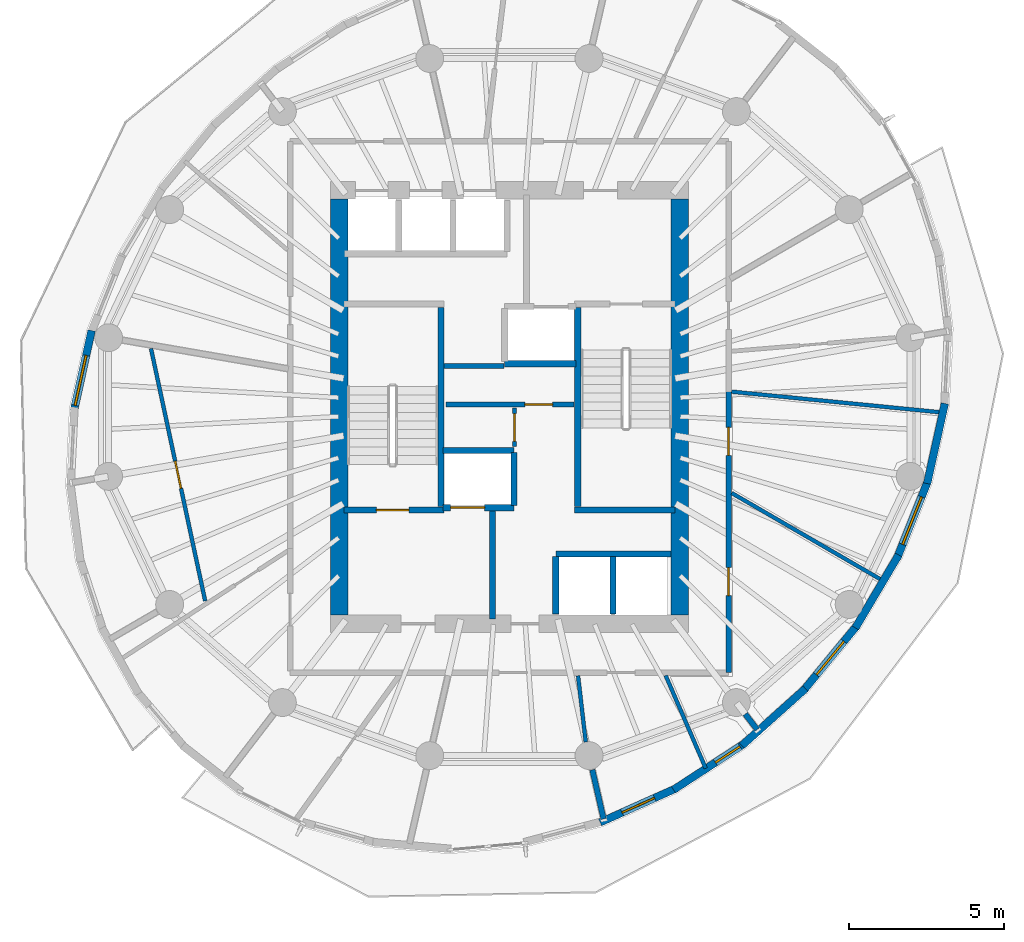
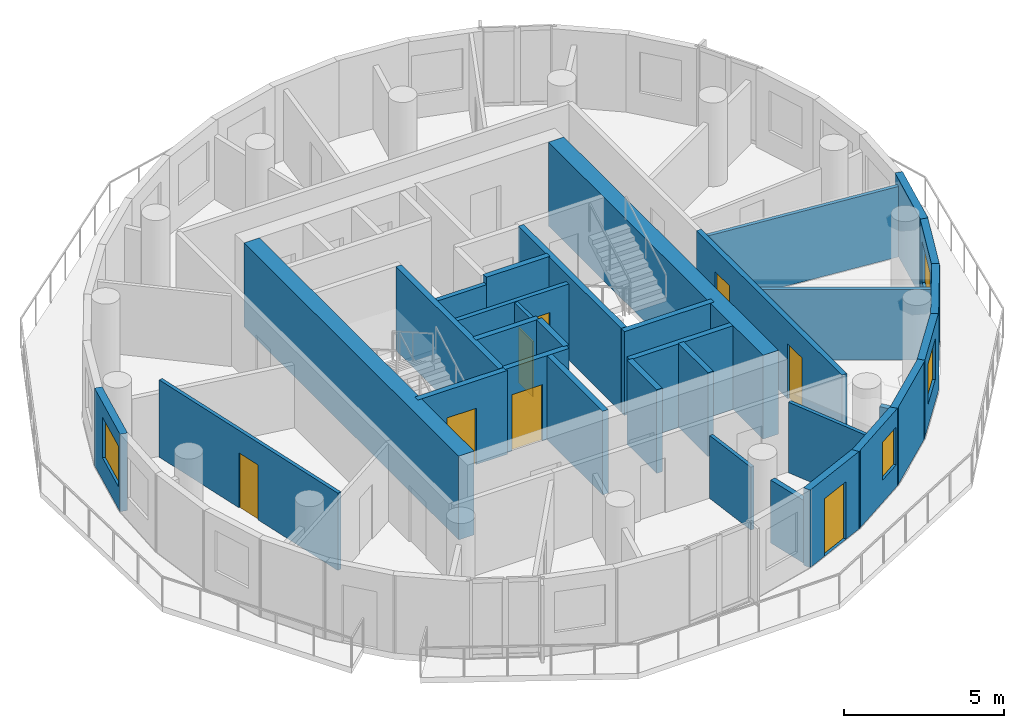
# One storey, part 5 of 10: 33 walls, 8 doors, 4 windows, 12 openings.
"""IFC4 building model written with IfcOpenShell, lengths in metres."""

from ifc_helpers import new_model, si_unit, direction, frame, frame_2d, origin, place, context, subcontext, project, spatial, rectangle, extrude, material, layer, layer_set, type_object, element, fill, save


model = new_model("IFC4")

# Units and contexts
model_context = context("Model", 3, precision=1e-05, world=origin(), true_north=direction((0.0, 1.0)))
body_context = subcontext(model_context, "Body", "Model", "MODEL_VIEW")
ifc_project = project(units=[si_unit("LENGTHUNIT", "METRE"), si_unit("AREAUNIT", "SQUARE_METRE"), si_unit("VOLUMEUNIT", "CUBIC_METRE"), si_unit("PLANEANGLEUNIT", "RADIAN"), si_unit("MASSUNIT", "GRAM", prefix="KILO")], contexts=[model_context])

# Site, building, storey
site_placement = place(None, origin())
site = spatial("IfcSite", under=ifc_project, at=site_placement, CompositionType="ELEMENT")
building_placement = place(site_placement, origin())
building = spatial("IfcBuilding", under=site, at=building_placement, Name="Veldorim Arch Residences", CompositionType="ELEMENT")
storey_placement = place(building_placement, frame((0.0, 0.0, 191.840087890625)))
storey = spatial("IfcBuildingStorey", under=building, at=storey_placement, Name="L57", CompositionType="ELEMENT", Elevation=191.840087890625)

# Wall, opening, door
ifc_material_1 = material(Name="Acoustic Gypsum Board", Category="gypsum")
ifc_layer_1 = layer(ifc_material_1, 0.125, Name="Acoustic Stud Room Partition Wall 125")
ifc_layer_set_1 = layer_set([ifc_layer_1], Name="Acoustic Gypsum Board")
wall_type_1 = type_object("IfcWallType", Name="Acoustic Stud Room Partition Wall 125", PredefinedType="PARTITIONING", material=ifc_layer_set_1)
wall_1_placement = place(storey_placement, frame((32.159912109375, 22.719970703125, 0.0), z_axis=(0.0, 0.0, 1.0), x_axis=(0.0, 1.0, 0.0)))
wall_1 = element("IfcWall", 1, at=wall_1_placement, inside=storey, type_object=wall_type_1, Name="L57 interior wall WL-CA-L57-2", PredefinedType="PARTITIONING", context=body_context, shape_type="SweptSolid", body=[
    extrude(rectangle(XDim=1.25, YDim=0.125, at=frame_2d((0.625, 0.0))), origin(), (0.0, 0.0, 1.0), 2.954833984375),
])
opening_1_placement = place(wall_1_placement, frame((0.169921875, 0.0, 0.0)))
opening_1 = element("IfcOpeningElement", 2, at=opening_1_placement, cuts=wall_1, Name="Opening DR-SVC", PredefinedType="OPENING", context=body_context, shape_type="SweptSolid", body=[
    extrude(rectangle(XDim=0.89990234375, YDim=2.10009765625, at=frame_2d((0.449951171875, 1.050048828125))), frame((0.0, 0.072509765625, 0.0), z_axis=(0.0, -1.0, 0.0), x_axis=(1.0, 0.0, 0.0)), (0.0, 0.0, 1.0), 0.14501953125),
])
ifc_material_2 = material(Name="Fire-Rated Steel", Category="steel")
door_type_1 = type_object("IfcDoorType", Name="Riser, Shelter & Plant Room Rated Steel Door 900x2100", OperationType="SINGLE_SWING_LEFT", PredefinedType="DOOR", material=ifc_material_2)
door_1_placement = place(opening_1_placement, origin())
door_1 = element("IfcDoor", 3, at=door_1_placement, inside=storey, type_object=door_type_1, Name="L57 interior door DR-L57-CA2", OperationType="SINGLE_SWING_RIGHT", OverallHeight=2.10009765625, OverallWidth=0.89990234375, PredefinedType="DOOR", context=body_context, shape_type="SweptSolid", body=[
    extrude(rectangle(XDim=0.89990234375, YDim=2.10009765625, at=frame_2d((0.449951171875, 1.050048828125))), frame((0.0, 0.02490234375, 0.0), z_axis=(0.0, -1.0, 0.0), x_axis=(1.0, 0.0, 0.0)), (0.0, 0.0, 1.0), 0.050048828125),
])
fill(opening_1, door_1)

# Walls
wall_2_placement = place(storey_placement, frame((44.06591796875, 18.390380859375, 0.0), z_axis=(0.0, 0.0, 1.0), x_axis=(-0.865092390625, 0.501612555348, 0.0)))
element("IfcWall", 4, at=wall_2_placement, inside=storey, type_object=wall_type_1, Name="L57 interior wall WL-RES-L57-010", PredefinedType="PARTITIONING", context=body_context, shape_type="SweptSolid", body=[
    extrude(rectangle(XDim=5.643310546875, YDim=0.125, at=frame_2d((2.82177734375, 0.0))), origin(), (0.0, 0.0, 1.0), 2.69189453125),
])
wall_3_placement = place(storey_placement, frame((39.179443359375, 24.49658203125, 0.0), z_axis=(0.0, 0.0, 1.0), x_axis=(0.995152744832, -0.098341316102, 0.0)))
element("IfcWall", 5, at=wall_3_placement, inside=storey, type_object=wall_type_1, Name="L57 interior wall WL-RES-L57-011", PredefinedType="PARTITIONING", context=body_context, shape_type="SweptSolid", body=[
    extrude(rectangle(XDim=6.842041015625, YDim=0.125, at=frame_2d((3.4208984375, 0.0))), origin(), (0.0, 0.0, 1.0), 2.69189453125),
])
wall_4_placement = place(storey_placement, frame((38.341796875, 12.33056640625, 0.0), z_axis=(0.0, 0.0, 1.0), x_axis=(-0.396192482216, 0.918167477662, 0.0)))
element("IfcWall", 6, at=wall_4_placement, inside=storey, type_object=wall_type_1, Name="L57 interior wall WL-RES-L57-012", PredefinedType="PARTITIONING", context=body_context, shape_type="SweptSolid", body=[
    extrude(rectangle(XDim=3.2646484375, YDim=0.125, at=frame_2d((1.63232421875, 0.0))), origin(), (0.0, 0.0, 1.0), 2.69189453125),
])
wall_5_placement = place(storey_placement, frame((34.467041015625, 13.17578125, 0.0), z_axis=(0.0, 0.0, 1.0), x_axis=(-0.115430815868, 0.993315522253, 0.0)))
element("IfcWall", 7, at=wall_5_placement, inside=storey, type_object=wall_type_1, Name="L57 interior wall WL-RES-L57-013", PredefinedType="PARTITIONING", context=body_context, shape_type="SweptSolid", body=[
    extrude(rectangle(XDim=2.159423828125, YDim=0.125, at=frame_2d((1.07958984375, 0.0))), origin(), (0.0, 0.0, 1.0), 2.4033203125),
])

# Wall, opening, door
wall_6_placement = place(storey_placement, frame((22.173095703125, 17.73486328125, 0.0), z_axis=(0.0, 0.0, 1.0), x_axis=(-0.20987090056, 0.977729106194, 0.0)))
wall_6 = element("IfcWall", 8, at=wall_6_placement, inside=storey, type_object=wall_type_1, Name="L57 interior wall WL-RES-L57-022", PredefinedType="PARTITIONING", context=body_context, shape_type="SweptSolid", body=[
    extrude(rectangle(XDim=8.3408203125, YDim=0.125, at=frame_2d((4.17041015625, 0.0))), origin(), (0.0, 0.0, 1.0), 2.954833984375),
])
opening_2_placement = place(wall_6_placement, frame((3.720458984375, 0.0, 0.0)))
opening_2 = element("IfcOpeningElement", 9, at=opening_2_placement, cuts=wall_6, Name="Opening DR-INT", PredefinedType="OPENING", context=body_context, shape_type="SweptSolid", body=[
    extrude(rectangle(XDim=0.89990234375, YDim=2.10009765625, at=frame_2d((0.449951171875, 1.050048828125))), frame((0.0, 0.072509765625, 0.0), z_axis=(0.0, -1.0, 0.0), x_axis=(1.0, 0.0, 0.0)), (0.0, 0.0, 1.0), 0.14501953125),
])
ifc_material_3 = material(Name="Engineered Timber", Category="wood")
door_type_2 = type_object("IfcDoorType", Name="Apartment Internal Room Timber Door 900x2100", OperationType="SINGLE_SWING_LEFT", PredefinedType="DOOR", material=ifc_material_3)
door_2_placement = place(opening_2_placement, origin())
door_2 = element("IfcDoor", 10, at=door_2_placement, inside=storey, type_object=door_type_2, Name="L57 interior door DR-RES-L57-015", OperationType="SINGLE_SWING_LEFT", OverallHeight=2.10009765625, OverallWidth=0.89990234375, PredefinedType="DOOR", context=body_context, shape_type="SweptSolid", body=[
    extrude(rectangle(XDim=0.89990234375, YDim=2.10009765625, at=frame_2d((0.449951171875, 1.050048828125))), frame((0.0, 0.02490234375, 0.0), z_axis=(0.0, -1.0, 0.0), x_axis=(1.0, 0.0, 0.0)), (0.0, 0.0, 1.0), 0.050048828125),
])
fill(opening_2, door_2)

# Walls
ifc_material_4 = material(Name="Lightweight Masonry Block & Gypsum", Category="masonry")
ifc_layer_2 = layer(ifc_material_4, 0.179931640625, Name="Compartment & Corridor Fire-Rated Party Wall 180")
ifc_layer_set_2 = layer_set([ifc_layer_2], Name="Lightweight Masonry Block & Gypsum")
wall_type_2 = type_object("IfcWallType", Name="Compartment & Corridor Fire-Rated Party Wall 180", PredefinedType="PARTITIONING", material=ifc_layer_set_2)
wall_7_placement = place(storey_placement, frame((34.679931640625, 12.282470703125, 0.0), z_axis=(0.0, 0.0, 1.0), x_axis=(0.222967107114, -0.974825968645, 0.0)))
element("IfcWall", 11, at=wall_7_placement, inside=storey, type_object=wall_type_2, Name="L57 interior wall WL-PIER-L57-13", PredefinedType="PARTITIONING", context=body_context, shape_type="SweptSolid", body=[
    extrude(rectangle(XDim=1.63037109375, YDim=0.179931640625, at=frame_2d((0.815185546875, 0.0))), origin(), (0.0, 0.0, 1.0), 2.4033203125),
])
wall_8_placement = place(storey_placement, frame((39.619873046875, 14.08203125, 0.0), z_axis=(0.0, 0.0, 1.0), x_axis=(0.609112888366, -0.793083532314, 0.0)))
element("IfcWall", 12, at=wall_8_placement, inside=storey, type_object=wall_type_2, Name="L57 interior wall WL-PIER-L57-14", PredefinedType="PARTITIONING", context=body_context, shape_type="SweptSolid", body=[
    extrude(rectangle(XDim=0.631591796875, YDim=0.179931640625, at=frame_2d((0.31591796875, 0.0))), origin(), (0.0, 0.0, 1.0), 2.4033203125),
])

# Wall, openings, doors
wall_9_placement = place(storey_placement, frame((39.080078125, 24.5263671875, 0.0), z_axis=(0.0, 0.0, 1.0), x_axis=(0.0, -1.0, 0.0)))
wall_9 = element("IfcWall", 13, at=wall_9_placement, inside=storey, type_object=wall_type_2, Name="L57 interior wall WL-RES-L57-002", PredefinedType="PARTITIONING", context=body_context, shape_type="SweptSolid", body=[
    extrude(rectangle(XDim=9.1064453125, YDim=0.179931640625, at=frame_2d((4.55322265625, 0.0))), origin(), (0.0, 0.0, 1.0), 2.954833984375),
])
opening_3_placement = place(wall_9_placement, frame((1.183837890625, 0.0, 0.0)))
opening_3 = element("IfcOpeningElement", 14, at=opening_3_placement, cuts=wall_9, Name="Opening DR-INT", PredefinedType="OPENING", context=body_context, shape_type="SweptSolid", body=[
    extrude(rectangle(XDim=0.89990234375, YDim=2.10009765625, at=frame_2d((0.449951171875, 1.050048828125))), frame((0.0, 0.099853515625, 0.0), z_axis=(0.0, -1.0, 0.0), x_axis=(1.0, 0.0, 0.0)), (0.0, 0.0, 1.0), 0.199951171875),
])
opening_4_placement = place(wall_9_placement, frame((5.715576171875, 0.0, 0.0)))
opening_4 = element("IfcOpeningElement", 15, at=opening_4_placement, cuts=wall_9, Name="Opening DR-INT", PredefinedType="OPENING", context=body_context, shape_type="SweptSolid", body=[
    extrude(rectangle(XDim=0.89990234375, YDim=2.10009765625, at=frame_2d((0.449951171875, 1.050048828125))), frame((0.0, 0.099853515625, 0.0), z_axis=(0.0, -1.0, 0.0), x_axis=(1.0, 0.0, 0.0)), (0.0, 0.0, 1.0), 0.199951171875),
])
door_3_placement = place(opening_3_placement, origin())
door_3 = element("IfcDoor", 16, at=door_3_placement, inside=storey, type_object=door_type_2, Name="L57 interior door DR-RES-L57-002", OperationType="SINGLE_SWING_RIGHT", OverallHeight=2.10009765625, OverallWidth=0.89990234375, PredefinedType="DOOR", context=body_context, shape_type="SweptSolid", body=[
    extrude(rectangle(XDim=0.89990234375, YDim=2.10009765625, at=frame_2d((0.449951171875, 1.050048828125))), frame((0.0, 0.02490234375, 0.0), z_axis=(0.0, -1.0, 0.0), x_axis=(1.0, 0.0, 0.0)), (0.0, 0.0, 1.0), 0.050048828125),
])
fill(opening_3, door_3)
door_4_placement = place(opening_4_placement, origin())
door_4 = element("IfcDoor", 17, at=door_4_placement, inside=storey, type_object=door_type_2, Name="L57 interior door DR-RES-L57-003", OperationType="SINGLE_SWING_LEFT", OverallHeight=2.10009765625, OverallWidth=0.89990234375, PredefinedType="DOOR", context=body_context, shape_type="SweptSolid", body=[
    extrude(rectangle(XDim=0.89990234375, YDim=2.10009765625, at=frame_2d((0.449951171875, 1.050048828125))), frame((0.0, 0.02490234375, 0.0), z_axis=(0.0, -1.0, 0.0), x_axis=(1.0, 0.0, 0.0)), (0.0, 0.0, 1.0), 0.050048828125),
])
fill(opening_4, door_4)

# Wall
ifc_material_5 = material(Name="Concrete C50/60", Category="concrete")
ifc_layer_3 = layer(ifc_material_5, 0.199951171875, Name="Core Stair & Lift Shaft Enclosure Wall 200")
ifc_layer_set_3 = layer_set([ifc_layer_3], Name="Concrete C50/60")
wall_type_3 = type_object("IfcWallType", Name="Core Stair & Lift Shaft Enclosure Wall 200", PredefinedType="SHEAR", material=ifc_layer_set_3)
wall_10_placement = place(storey_placement, frame((29.7900390625, 20.780029296875, 0.0), z_axis=(0.0, 0.0, 1.0), x_axis=(0.0, 1.0, 0.0)))
element("IfcWall", 18, at=wall_10_placement, inside=storey, type_object=wall_type_3, Name="L57 shaft wall WL-SHF-L57-ST1-E", PredefinedType="SHEAR", context=body_context, shape_type="SweptSolid", body=[
    extrude(rectangle(XDim=6.43994140625, YDim=0.199951171875, at=frame_2d((3.219970703125, 0.0))), origin(), (0.0, 0.0, 1.0), 3.199951171875),
])

# Wall, opening, door
wall_11_placement = place(storey_placement, frame((26.64990234375, 20.669921875, 0.0), z_axis=(0.0, 0.0, 1.0), x_axis=(1.0, 0.0, 0.0)))
wall_11 = element("IfcWall", 19, at=wall_11_placement, inside=storey, type_object=wall_type_3, Name="L57 shaft wall WL-SHF-L57-ST1-S", PredefinedType="SHEAR", context=body_context, shape_type="SweptSolid", body=[
    extrude(rectangle(XDim=3.239990234375, YDim=0.199951171875, at=frame_2d((1.6201171875, 0.0))), origin(), (0.0, 0.0, 1.0), 3.199951171875),
])
opening_5_placement = place(wall_11_placement, frame((1.054931640625, 0.0, 0.0)))
opening_5 = element("IfcOpeningElement", 20, at=opening_5_placement, cuts=wall_11, Name="Opening DR-ST", PredefinedType="OPENING", context=body_context, shape_type="SweptSolid", body=[
    extrude(rectangle(XDim=1.050048828125, YDim=2.14990234375, at=frame_2d((0.52490234375, 1.074951171875))), frame((0.0, 0.10986328125, 0.0), z_axis=(0.0, -1.0, 0.0), x_axis=(1.0, 0.0, 0.0)), (0.0, 0.0, 1.0), 0.219970703125),
])
ifc_material_6 = material(Name="Fire-Rated Steel", Category="steel")
door_type_3 = type_object("IfcDoorType", Name="Exit Staircase Self-Closing Fire Door 1050x2150", OperationType="SINGLE_SWING_LEFT", PredefinedType="DOOR", material=ifc_material_6)
door_5_placement = place(opening_5_placement, origin())
door_5 = element("IfcDoor", 21, at=door_5_placement, inside=storey, type_object=door_type_3, Name="L57 interior door DR-L57-ST1", OperationType="SINGLE_SWING_LEFT", OverallHeight=2.14990234375, OverallWidth=1.050048828125, PredefinedType="DOOR", context=body_context, shape_type="SweptSolid", body=[
    extrude(rectangle(XDim=1.050048828125, YDim=2.14990234375, at=frame_2d((0.52490234375, 1.074951171875))), frame((0.0, 0.02490234375, 0.0), z_axis=(0.0, -1.0, 0.0), x_axis=(1.0, 0.0, 0.0)), (0.0, 0.0, 1.0), 0.050048828125),
])
fill(opening_5, door_5)

# Walls
wall_12_placement = place(storey_placement, frame((34.2099609375, 20.780029296875, 0.0), z_axis=(0.0, 0.0, 1.0), x_axis=(0.0, 1.0, 0.0)))
element("IfcWall", 22, at=wall_12_placement, inside=storey, type_object=wall_type_3, Name="L57 shaft wall WL-SHF-L57-ST2-W", PredefinedType="SHEAR", context=body_context, shape_type="SweptSolid", body=[
    extrude(rectangle(XDim=6.43994140625, YDim=0.199951171875, at=frame_2d((3.219970703125, 0.0))), origin(), (0.0, 0.0, 1.0), 3.199951171875),
])
wall_13_placement = place(storey_placement, frame((34.110107421875, 20.669921875, 0.0), z_axis=(0.0, 0.0, 1.0), x_axis=(1.0, 0.0, 0.0)))
element("IfcWall", 23, at=wall_13_placement, inside=storey, type_object=wall_type_3, Name="L57 shaft wall WL-SHF-L57-ST2-S", PredefinedType="SHEAR", context=body_context, shape_type="SweptSolid", body=[
    extrude(rectangle(XDim=3.239990234375, YDim=0.199951171875, at=frame_2d((1.6201171875, 0.0))), origin(), (0.0, 0.0, 1.0), 3.199951171875),
])
wall_14_placement = place(storey_placement, frame((31.449951171875, 17.14990234375, 0.0), z_axis=(0.0, 0.0, 1.0), x_axis=(0.0, 1.0, 0.0)))
element("IfcWall", 24, at=wall_14_placement, inside=storey, type_object=wall_type_3, Name="L57 shaft wall WL-FFL1-L57-E", PredefinedType="SHEAR", context=body_context, shape_type="SweptSolid", body=[
    extrude(rectangle(XDim=3.5, YDim=0.199951171875, at=frame_2d((1.75, 0.0))), origin(), (0.0, 0.0, 1.0), 3.199951171875),
])

# Wall, opening, door
wall_15_placement = place(storey_placement, frame((29.85009765625, 20.75, 0.0), z_axis=(0.0, 0.0, 1.0), x_axis=(1.0, 0.0, 0.0)))
wall_15 = element("IfcWall", 25, at=wall_15_placement, inside=storey, type_object=wall_type_3, Name="L57 shaft wall WL-FL01-L57-S", PredefinedType="SHEAR", context=body_context, shape_type="SweptSolid", body=[
    extrude(rectangle(XDim=2.2998046875, YDim=0.199951171875, at=frame_2d((1.14990234375, 0.0))), origin(), (0.0, 0.0, 1.0), 3.199951171875),
])
opening_6_placement = place(wall_15_placement, frame((0.25, 0.0, 0.0)))
opening_6 = element("IfcOpeningElement", 26, at=opening_6_placement, cuts=wall_15, Name="Opening LD-FF", PredefinedType="OPENING", context=body_context, shape_type="SweptSolid", body=[
    extrude(rectangle(XDim=1.10009765625, YDim=2.14990234375, at=frame_2d((0.550048828125, 1.074951171875))), frame((0.0, 0.10986328125, 0.0), z_axis=(0.0, -1.0, 0.0), x_axis=(1.0, 0.0, 0.0)), (0.0, 0.0, 1.0), 0.219970703125),
])
ifc_material_7 = material(Name="Stainless Steel", Category="steel")
door_type_4 = type_object("IfcDoorType", Name="Firefighting Lift Bi-Parting Sliding Landing Door 1100x2150", OperationType="DOUBLE_DOOR_SLIDING", PredefinedType="DOOR", material=ifc_material_7)
door_6_placement = place(opening_6_placement, origin())
door_6 = element("IfcDoor", 27, at=door_6_placement, inside=storey, type_object=door_type_4, Name="L57 lift landing door LD-L57-FL01", OperationType="DOUBLE_DOOR_SLIDING", OverallHeight=2.14990234375, OverallWidth=1.10009765625, PredefinedType="DOOR", context=body_context, shape_type="SweptSolid", body=[
    extrude(rectangle(XDim=1.10009765625, YDim=2.14990234375, at=frame_2d((0.550048828125, 1.074951171875))), frame((0.0, 0.02490234375, 0.0), z_axis=(0.0, -1.0, 0.0), x_axis=(1.0, 0.0, 0.0)), (0.0, 0.0, 1.0), 0.050048828125),
])
fill(opening_6, door_6)

# Walls
wall_16_placement = place(storey_placement, frame((29.85009765625, 22.60009765625, 0.0), z_axis=(0.0, 0.0, 1.0), x_axis=(1.0, 0.0, 0.0)))
element("IfcWall", 28, at=wall_16_placement, inside=storey, type_object=wall_type_3, Name="L57 shaft wall WL-FL01-L57-N", PredefinedType="SHEAR", context=body_context, shape_type="SweptSolid", body=[
    extrude(rectangle(XDim=2.2998046875, YDim=0.199951171875, at=frame_2d((1.14990234375, 0.0))), origin(), (0.0, 0.0, 1.0), 3.199951171875),
])
wall_17_placement = place(storey_placement, frame((32.14990234375, 20.820068359375, 0.0), z_axis=(0.0, 0.0, 1.0), x_axis=(0.0, 1.0, 0.0)))
element("IfcWall", 29, at=wall_17_placement, inside=storey, type_object=wall_type_3, Name="L57 shaft wall WL-FL01-L57-E", PredefinedType="SHEAR", context=body_context, shape_type="SweptSolid", body=[
    extrude(rectangle(XDim=1.7099609375, YDim=0.199951171875, at=frame_2d((0.85498046875, 0.0))), origin(), (0.0, 0.0, 1.0), 3.199951171875),
])
wall_18_placement = place(storey_placement, frame((31.85009765625, 25.39990234375, 0.0), z_axis=(0.0, 0.0, 1.0), x_axis=(1.0, 0.0, 0.0)))
element("IfcWall", 30, at=wall_18_placement, inside=storey, type_object=wall_type_3, Name="L57 shaft wall WL-FL02-L57-S", PredefinedType="SHEAR", context=body_context, shape_type="SweptSolid", body=[
    extrude(rectangle(XDim=2.2998046875, YDim=0.199951171875, at=frame_2d((1.14990234375, 0.0))), origin(), (0.0, 0.0, 1.0), 3.199951171875),
])
wall_19_placement = place(storey_placement, frame((33.5, 19.25, 0.0), z_axis=(0.0, 0.0, 1.0), x_axis=(1.0, 0.0, 0.0)))
element("IfcWall", 31, at=wall_19_placement, inside=storey, type_object=wall_type_3, Name="L57 shaft wall WL-OL-L57-N", PredefinedType="SHEAR", context=body_context, shape_type="SweptSolid", body=[
    extrude(rectangle(XDim=3.719970703125, YDim=0.199951171875, at=frame_2d((1.85986328125, 0.0))), origin(), (0.0, 0.0, 1.0), 3.199951171875),
])
for number, where, z_axis, x_axis, name in (
    (32, (33.5, 17.320068359375, 0.0), (0.0, 0.0, 1.0), (0.0, 1.0, 0.0), "L57 shaft wall WL-OL-L57-W"),
    (33, (35.35009765625, 17.320068359375, 0.0), (0.0, 0.0, 1.0), (0.0, 1.0, 0.0), "L57 shaft wall WL-OL-L57-D1"),
):
    element("IfcWall", number, at=place(storey_placement, frame(where, z_axis=z_axis, x_axis=x_axis)), inside=storey, type_object=wall_type_3, Name=name, PredefinedType="SHEAR", context=body_context, shape_type="SweptSolid", body=[
        extrude(rectangle(XDim=1.85986328125, YDim=0.199951171875, at=frame_2d((0.929931640625, 0.0))), origin(), (0.0, 0.0, 1.0), 3.199951171875),
    ])

# Wall, opening, window
ifc_material_8 = material(Name="Precast concrete C40/50", Category="concrete")
ifc_layer_4 = layer(ifc_material_8, 0.25, Name="Tower Terracotta Spandrel & Pier Wall 250")
ifc_layer_set_4 = layer_set([ifc_layer_4], Name="Precast concrete C40/50")
wall_type_4 = type_object("IfcWallType", Name="Tower Terracotta Spandrel & Pier Wall 250", PredefinedType="SOLIDWALL", material=ifc_layer_set_4)
wall_20_placement = place(storey_placement, frame((17.931884765625, 23.884033203125, 0.0), z_axis=(0.0, 0.0, 1.0), x_axis=(0.215877166516, 0.976420528756, 0.0)))
wall_20 = element("IfcWall", 34, at=wall_20_placement, inside=storey, type_object=wall_type_4, Name="L57 terracotta facade wall 13", PredefinedType="SOLIDWALL", context=body_context, shape_type="SweptSolid", body=[
    extrude(rectangle(XDim=2.65087890625, YDim=0.25, at=frame_2d((1.325439453125, 0.0))), origin(), (0.0, 0.0, 1.0), 2.9599609375),
])
opening_7_placement = place(wall_20_placement, frame((0.175048828125, 0.0, 0.85009765625)))
opening_7 = element("IfcOpeningElement", 35, at=opening_7_placement, cuts=wall_20, Name="Opening WN-03", PredefinedType="OPENING", context=body_context, shape_type="SweptSolid", body=[
    extrude(rectangle(XDim=1.64990234375, YDim=1.550048828125, at=frame_2d((0.824951171875, 0.77490234375))), frame((0.0, 0.135009765625, 0.0), z_axis=(0.0, -1.0, 0.0), x_axis=(1.0, 0.0, 0.0)), (0.0, 0.0, 1.0), 0.27001953125),
])
ifc_material_9 = material(Name="Laminated Low-E Glass", Category="glass")
window_type_1 = type_object("IfcWindowType", Name="Residential Wide Window 1650x1550", PartitioningType="SINGLE_PANEL", PredefinedType="WINDOW", material=ifc_material_9)
window_1_placement = place(opening_7_placement, origin())
window_1 = element("IfcWindow", 36, at=window_1_placement, inside=storey, type_object=window_type_1, Name="L57 solar-control facade window 13", OverallHeight=1.550048828125, OverallWidth=1.64990234375, PartitioningType="SINGLE_PANEL", PredefinedType="WINDOW", context=body_context, shape_type="SweptSolid", body=[
    extrude(rectangle(XDim=1.64990234375, YDim=1.550048828125, at=frame_2d((0.824951171875, 0.77490234375))), frame((0.0, 0.030029296875, 0.0), z_axis=(0.0, -1.0, 0.0), x_axis=(1.0, 0.0, 0.0)), (0.0, 0.0, 1.0), 0.06005859375),
])
fill(opening_7, window_1)

# Wall, opening, door
wall_21_placement = place(storey_placement, frame((37.3974609375, 11.687255859375, 0.0), z_axis=(0.0, 0.0, 1.0), x_axis=(-0.912615139532, -0.408819773368, 0.0)))
wall_21 = element("IfcWall", 37, at=wall_21_placement, inside=storey, type_object=wall_type_4, Name="L57 terracotta facade wall 25", PredefinedType="SOLIDWALL", context=body_context, shape_type="SweptSolid", body=[
    extrude(rectangle(XDim=2.70166015625, YDim=0.25, at=frame_2d((1.350830078125, 0.0))), origin(), (0.0, 0.0, 1.0), 2.9599609375),
])
opening_8_placement = place(wall_21_placement, frame((0.77587890625, 0.0, 0.0)))
opening_8 = element("IfcOpeningElement", 38, at=opening_8_placement, cuts=wall_21, Name="Opening BL-DR", PredefinedType="OPENING", context=body_context, shape_type="SweptSolid", body=[
    extrude(rectangle(XDim=1.14990234375, YDim=2.199951171875, at=frame_2d((0.574951171875, 1.10009765625))), frame((0.0, 0.135009765625, 0.0), z_axis=(0.0, -1.0, 0.0), x_axis=(1.0, 0.0, 0.0)), (0.0, 0.0, 1.0), 0.27001953125),
])
ifc_material_10 = material(Name="Aluminium & Low-E Glass", Category="aluminium")
door_type_5 = type_object("IfcDoorType", Name="Glazed Planted Balcony Door 1150x2200", OperationType="SINGLE_SWING_LEFT", PredefinedType="DOOR", material=ifc_material_10)
door_7_placement = place(opening_8_placement, origin())
door_7 = element("IfcDoor", 39, at=door_7_placement, inside=storey, type_object=door_type_5, Name="L57 glazed outdoor terrace door BALC-2", OperationType="SINGLE_SWING_LEFT", OverallHeight=2.199951171875, OverallWidth=1.14990234375, PredefinedType="DOOR", context=body_context, shape_type="SweptSolid", body=[
    extrude(rectangle(XDim=1.14990234375, YDim=2.199951171875, at=frame_2d((0.574951171875, 1.10009765625))), frame((0.0, 0.02490234375, 0.0), z_axis=(0.0, -1.0, 0.0), x_axis=(1.0, 0.0, 0.0)), (0.0, 0.0, 1.0), 0.050048828125),
])
fill(opening_8, door_7)

# Wall, opening, window
wall_22_placement = place(storey_placement, frame((39.595947265625, 13.1298828125, 0.0), z_axis=(0.0, 0.0, 1.0), x_axis=(-0.837860586987, -0.545884270496, 0.0)))
wall_22 = element("IfcWall", 40, at=wall_22_placement, inside=storey, type_object=wall_type_4, Name="L57 terracotta facade wall 26", PredefinedType="SOLIDWALL", context=body_context, shape_type="SweptSolid", body=[
    extrude(rectangle(XDim=2.738525390625, YDim=0.25, at=frame_2d((1.369140625, 0.0))), origin(), (0.0, 0.0, 1.0), 2.9599609375),
])
opening_9_placement = place(wall_22_placement, frame((0.175048828125, 0.0, 0.85009765625)))
opening_9 = element("IfcOpeningElement", 41, at=opening_9_placement, cuts=wall_22, Name="Opening WN-05", PredefinedType="OPENING", context=body_context, shape_type="SweptSolid", body=[
    extrude(rectangle(XDim=0.949951171875, YDim=1.449951171875, at=frame_2d((0.47509765625, 0.72509765625))), frame((0.0, 0.135009765625, 0.0), z_axis=(0.0, -1.0, 0.0), x_axis=(1.0, 0.0, 0.0)), (0.0, 0.0, 1.0), 0.27001953125),
])
ifc_material_11 = material(Name="Laminated Low-E Glass", Category="glass")
window_type_2 = type_object("IfcWindowType", Name="Residential Compact Casement Window 950x1450", PartitioningType="SINGLE_PANEL", PredefinedType="WINDOW", material=ifc_material_11)
window_2_placement = place(opening_9_placement, origin())
window_2 = element("IfcWindow", 42, at=window_2_placement, inside=storey, type_object=window_type_2, Name="L57 solar-control facade window 26", OverallHeight=1.449951171875, OverallWidth=0.949951171875, PartitioningType="SINGLE_PANEL", PredefinedType="WINDOW", context=body_context, shape_type="SweptSolid", body=[
    extrude(rectangle(XDim=0.949951171875, YDim=1.449951171875, at=frame_2d((0.47509765625, 0.72509765625))), frame((0.0, 0.030029296875, 0.0), z_axis=(0.0, -1.0, 0.0), x_axis=(1.0, 0.0, 0.0)), (0.0, 0.0, 1.0), 0.06005859375),
])
fill(opening_9, window_2)

# Wall
wall_23_placement = place(storey_placement, frame((41.56396484375, 14.90380859375, 0.0), z_axis=(0.0, 0.0, 1.0), x_axis=(-0.744898573364, -0.667177723998, 0.0)))
element("IfcWall", 43, at=wall_23_placement, inside=storey, type_object=wall_type_4, Name="L57 terracotta facade wall 27", PredefinedType="SOLIDWALL", context=body_context, shape_type="SweptSolid", body=[
    extrude(rectangle(XDim=2.758056640625, YDim=0.25, at=frame_2d((1.37890625, 0.0))), origin(), (0.0, 0.0, 1.0), 2.9599609375),
])

# Wall, opening, window
wall_24_placement = place(storey_placement, frame((43.2412109375, 16.955078125, 0.0), z_axis=(0.0, 0.0, 1.0), x_axis=(-0.635409334306, -0.772175483861, 0.0)))
wall_24 = element("IfcWall", 44, at=wall_24_placement, inside=storey, type_object=wall_type_4, Name="L57 terracotta facade wall 28", PredefinedType="SOLIDWALL", context=body_context, shape_type="SweptSolid", body=[
    extrude(rectangle(XDim=2.758056640625, YDim=0.25, at=frame_2d((1.37890625, 0.0))), origin(), (0.0, 0.0, 1.0), 2.9599609375),
])
opening_10_placement = place(wall_24_placement, frame((0.678955078125, 0.0, 0.85009765625)))
opening_10 = element("IfcOpeningElement", 45, at=opening_10_placement, cuts=wall_24, Name="Opening WN-02", PredefinedType="OPENING", context=body_context, shape_type="SweptSolid", body=[
    extrude(rectangle(XDim=1.39990234375, YDim=1.550048828125, at=frame_2d((0.699951171875, 0.77490234375))), frame((0.0, 0.135009765625, 0.0), z_axis=(0.0, -1.0, 0.0), x_axis=(1.0, 0.0, 0.0)), (0.0, 0.0, 1.0), 0.27001953125),
])
ifc_material_12 = material(Name="Laminated Low-E Glass", Category="glass")
window_type_3 = type_object("IfcWindowType", Name="Residential Casement Window 1400x1550", PartitioningType="SINGLE_PANEL", PredefinedType="WINDOW", material=ifc_material_12)
window_3_placement = place(opening_10_placement, origin())
window_3 = element("IfcWindow", 46, at=window_3_placement, inside=storey, type_object=window_type_3, Name="L57 solar-control facade window 28", OverallHeight=1.550048828125, OverallWidth=1.39990234375, PartitioningType="SINGLE_PANEL", PredefinedType="WINDOW", context=body_context, shape_type="SweptSolid", body=[
    extrude(rectangle(XDim=1.39990234375, YDim=1.550048828125, at=frame_2d((0.699951171875, 0.77490234375))), frame((0.0, 0.030029296875, 0.0), z_axis=(0.0, -1.0, 0.0), x_axis=(1.0, 0.0, 0.0)), (0.0, 0.0, 1.0), 0.06005859375),
])
fill(opening_10, window_3)

# Wall
wall_25_placement = place(storey_placement, frame((44.576171875, 19.220947265625, 0.0), z_axis=(0.0, 0.0, 1.0), x_axis=(-0.510320389621, -0.859984360287, 0.0)))
element("IfcWall", 47, at=wall_25_placement, inside=storey, type_object=wall_type_4, Name="L57 terracotta facade wall 29", PredefinedType="SOLIDWALL", context=body_context, shape_type="SweptSolid", body=[
    extrude(rectangle(XDim=2.73828125, YDim=0.25, at=frame_2d((1.369140625, 0.0))), origin(), (0.0, 0.0, 1.0), 2.9599609375),
])

# Wall, opening, window
wall_26_placement = place(storey_placement, frame((45.5283203125, 21.632568359375, 0.0), z_axis=(0.0, 0.0, 1.0), x_axis=(-0.370330939431, -0.928899884433, 0.0)))
wall_26 = element("IfcWall", 48, at=wall_26_placement, inside=storey, type_object=wall_type_4, Name="L57 terracotta facade wall 30", PredefinedType="SOLIDWALL", context=body_context, shape_type="SweptSolid", body=[
    extrude(rectangle(XDim=2.70166015625, YDim=0.25, at=frame_2d((1.350830078125, 0.0))), origin(), (0.0, 0.0, 1.0), 2.9599609375),
])
opening_11_placement = place(wall_26_placement, frame((0.575927734375, 0.0, 0.85009765625)))
opening_11 = element("IfcOpeningElement", 49, at=opening_11_placement, cuts=wall_26, Name="Opening WN-03", PredefinedType="OPENING", context=body_context, shape_type="SweptSolid", body=[
    extrude(rectangle(XDim=1.64990234375, YDim=1.550048828125, at=frame_2d((0.824951171875, 0.77490234375))), frame((0.0, 0.135009765625, 0.0), z_axis=(0.0, -1.0, 0.0), x_axis=(1.0, 0.0, 0.0)), (0.0, 0.0, 1.0), 0.27001953125),
])
window_4_placement = place(opening_11_placement, origin())
window_4 = element("IfcWindow", 50, at=window_4_placement, inside=storey, type_object=window_type_1, Name="L57 solar-control facade window 30", OverallHeight=1.550048828125, OverallWidth=1.64990234375, PartitioningType="SINGLE_PANEL", PredefinedType="WINDOW", context=body_context, shape_type="SweptSolid", body=[
    extrude(rectangle(XDim=1.64990234375, YDim=1.550048828125, at=frame_2d((0.824951171875, 0.77490234375))), frame((0.0, 0.030029296875, 0.0), z_axis=(0.0, -1.0, 0.0), x_axis=(1.0, 0.0, 0.0)), (0.0, 0.0, 1.0), 0.06005859375),
])
fill(opening_11, window_4)

# Walls
wall_27_placement = place(storey_placement, frame((46.068115234375, 24.115966796875, 0.0), z_axis=(0.0, 0.0, 1.0), x_axis=(-0.215877166516, -0.976420528756, 0.0)))
element("IfcWall", 51, at=wall_27_placement, inside=storey, type_object=wall_type_4, Name="L57 terracotta facade wall 31", PredefinedType="SOLIDWALL", context=body_context, shape_type="SweptSolid", body=[
    extrude(rectangle(XDim=2.65087890625, YDim=0.25, at=frame_2d((1.325439453125, 0.0))), origin(), (0.0, 0.0, 1.0), 2.9599609375),
])
ifc_material_13 = material(Name="Concrete C50/60", Category="concrete")
ifc_layer_5 = layer(ifc_material_13, 0.5, Name="Upper Central Core Shear Wall 560")
ifc_layer_set_5 = layer_set([ifc_layer_5], Name="Concrete C50/60")
wall_type_5 = type_object("IfcWallType", Name="Upper Central Core Shear Wall 560", PredefinedType="SHEAR", material=ifc_layer_set_5)
for number, where, z_axis, x_axis, name in (
    (52, (26.5, 17.280029296875, 0.0), (0.0, 0.0, 1.0), (0.0, 1.0, 0.0), "L57 central core west shear wall"),
    (53, (37.5, 17.280029296875, 0.0), (0.0, 0.0, 1.0), (0.0, 1.0, 0.0), "L57 central core east shear wall"),
):
    element("IfcWall", number, at=place(storey_placement, frame(where, z_axis=z_axis, x_axis=x_axis)), inside=storey, type_object=wall_type_5, Name=name, PredefinedType="SHEAR", context=body_context, shape_type="SweptSolid", body=[
        extrude(rectangle(XDim=13.43994140625, YDim=0.56005859375, at=frame_2d((6.719970703125, 0.0))), origin(), (0.0, 0.0, 1.0), 3.199951171875),
    ])

# Wall, opening, door
ifc_material_14 = material(Name="Moisture-Resistant Gypsum & Stud", Category="gypsum")
ifc_layer_6 = layer(ifc_material_14, 0.159912109375, Name="Wet-Area Moisture-Resistant Plumbing Wall 160")
ifc_layer_set_6 = layer_set([ifc_layer_6], Name="Moisture-Resistant Gypsum & Stud")
wall_type_6 = type_object("IfcWallType", Name="Wet-Area Moisture-Resistant Plumbing Wall 160", PredefinedType="PLUMBINGWALL", material=ifc_layer_set_6)
wall_28_placement = place(storey_placement, frame((29.949951171875, 24.080078125, 0.0), z_axis=(0.0, 0.0, 1.0), x_axis=(1.0, 0.0, 0.0)))
wall_28 = element("IfcWall", 54, at=wall_28_placement, inside=storey, type_object=wall_type_6, Name="L57 interior wall WL-CA-L57-1", PredefinedType="PLUMBINGWALL", context=body_context, shape_type="SweptSolid", body=[
    extrude(rectangle(XDim=4.130126953125, YDim=0.159912109375, at=frame_2d((2.06494140625, 0.0))), origin(), (0.0, 0.0, 1.0), 2.954833984375),
])
opening_12_placement = place(wall_28_placement, frame((2.550048828125, 0.0, 0.0)))
opening_12 = element("IfcOpeningElement", 55, at=opening_12_placement, cuts=wall_28, Name="Opening DR-WC", PredefinedType="OPENING", context=body_context, shape_type="SweptSolid", body=[
    extrude(rectangle(XDim=0.89990234375, YDim=2.10009765625, at=frame_2d((0.449951171875, 1.050048828125))), frame((0.0, 0.08984375, 0.0), z_axis=(0.0, -1.0, 0.0), x_axis=(1.0, 0.0, 0.0)), (0.0, 0.0, 1.0), 0.179931640625),
])
ifc_material_15 = material(Name="Laminate Timber", Category="wood")
door_type_6 = type_object("IfcDoorType", Name="Bathroom & Accessible WC Moisture-Sealed Door 900x2100", OperationType="SINGLE_SWING_LEFT", PredefinedType="DOOR", material=ifc_material_15)
door_8_placement = place(opening_12_placement, origin())
door_8 = element("IfcDoor", 56, at=door_8_placement, inside=storey, type_object=door_type_6, Name="L57 interior door DR-L57-CA1", OperationType="SINGLE_SWING_LEFT", OverallHeight=2.10009765625, OverallWidth=0.89990234375, PredefinedType="DOOR", context=body_context, shape_type="SweptSolid", body=[
    extrude(rectangle(XDim=0.89990234375, YDim=2.10009765625, at=frame_2d((0.449951171875, 1.050048828125))), frame((0.0, 0.02490234375, 0.0), z_axis=(0.0, -1.0, 0.0), x_axis=(1.0, 0.0, 0.0)), (0.0, 0.0, 1.0), 0.050048828125),
])
fill(opening_12, door_8)

# Wall
wall_29_placement = place(storey_placement, frame((29.889892578125, 25.330078125, 0.0), z_axis=(0.0, 0.0, 1.0), x_axis=(1.0, 0.0, 0.0)))
element("IfcWall", 57, at=wall_29_placement, inside=storey, type_object=wall_type_6, Name="L57 interior wall WL-CA-L57-N", PredefinedType="PLUMBINGWALL", context=body_context, shape_type="SweptSolid", body=[
    extrude(rectangle(XDim=1.940185546875, YDim=0.159912109375, at=frame_2d((0.97021484375, 0.0))), origin(), (0.0, 0.0, 1.0), 2.954833984375),
])

save(model, "model.ifc")
